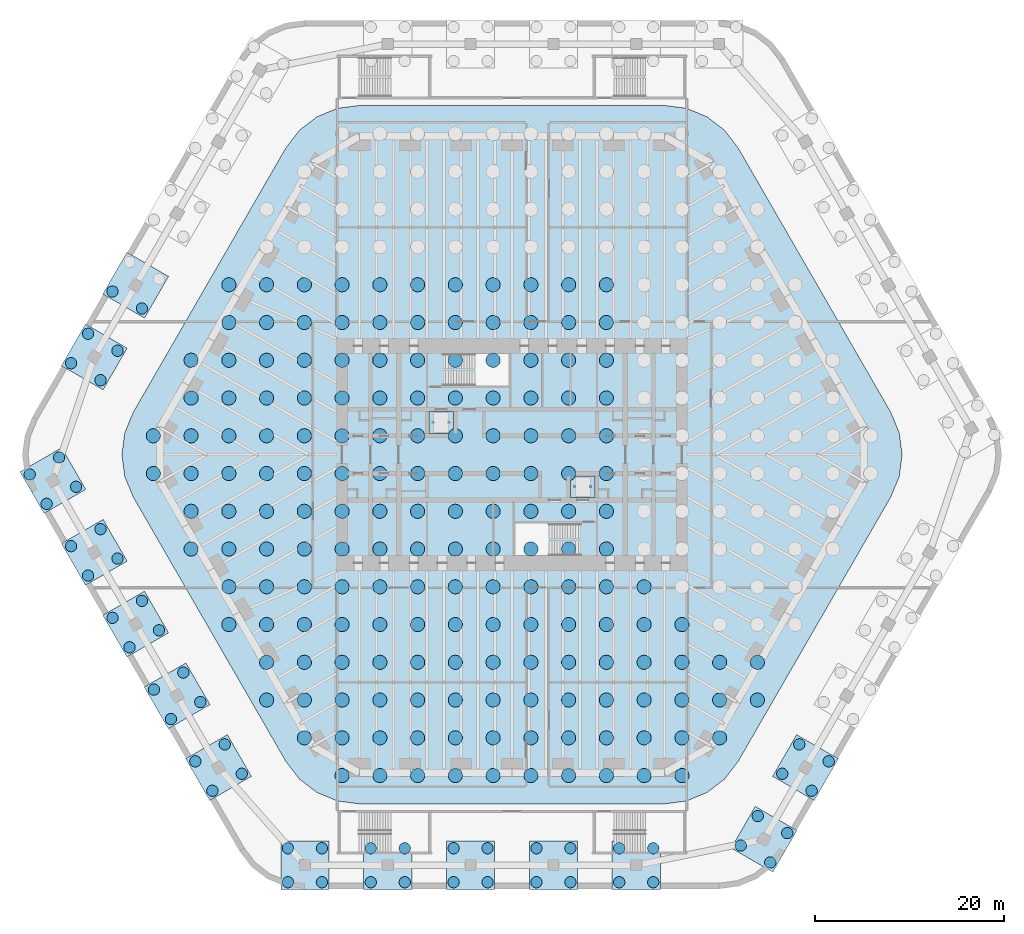
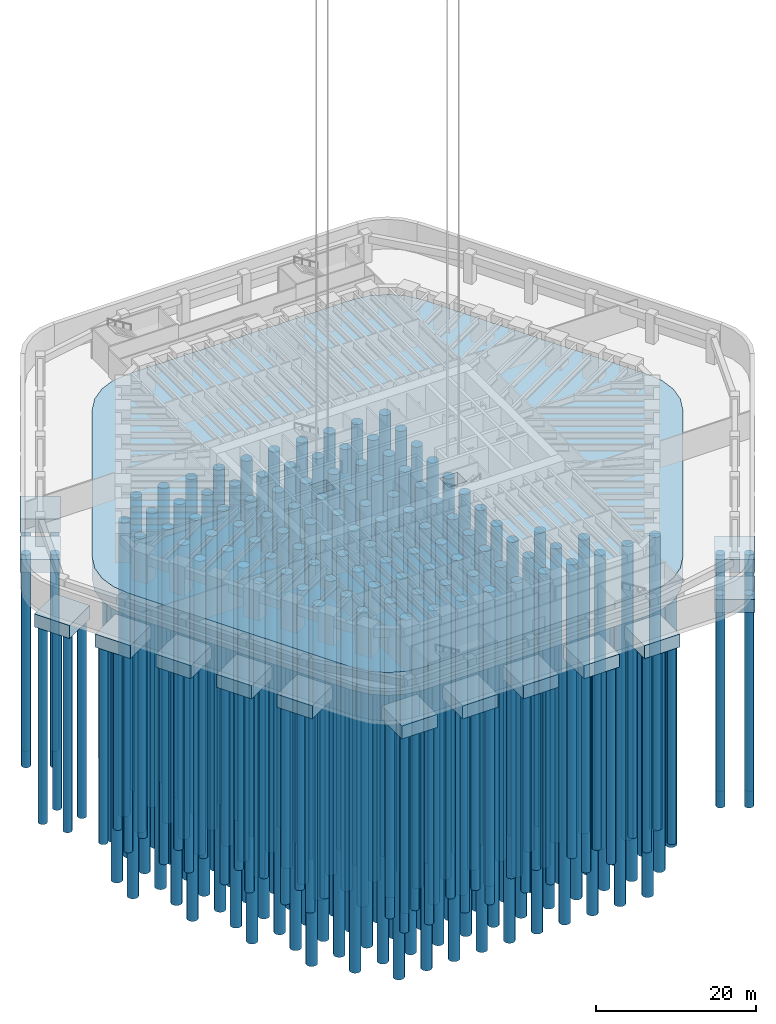
# One storey, part 1 of 17: 225 piles, 15 footings, 2 openings.
"""IFC4 building model written with IfcOpenShell, lengths in metres."""

from ifc_helpers import new_model, si_unit, direction, frame, origin, origin_2d, place, context, subcontext, project, spatial, polyline, circle, outline, extrude, material, layer, layer_set, material_profile, profile_set, type_object, element, save


model = new_model("IFC4")

# Units and contexts
model_context = context("Model", 3, precision=1e-05, world=origin(), true_north=direction((0.0, 1.0)))
body_context = subcontext(model_context, "Body", "Model", "MODEL_VIEW")
ifc_project = project(units=[si_unit("LENGTHUNIT", "METRE"), si_unit("AREAUNIT", "SQUARE_METRE"), si_unit("VOLUMEUNIT", "CUBIC_METRE"), si_unit("PLANEANGLEUNIT", "RADIAN"), si_unit("MASSUNIT", "GRAM", prefix="KILO")], contexts=[model_context])

# Site, building, storey
site_placement = place(None, origin())
site = spatial("IfcSite", under=ifc_project, at=site_placement, CompositionType="ELEMENT")
building_placement = place(site_placement, origin())
building = spatial("IfcBuilding", under=site, at=building_placement, Name="Tarfa Lantern Tower", CompositionType="ELEMENT")
storey_placement = place(building_placement, frame((0.0, 0.0, -9.0)))
storey = spatial("IfcBuildingStorey", under=building, at=storey_placement, Name="B2", CompositionType="ELEMENT", Elevation=-9.0)

# Piles
ifc_material = material(Name="Concrete C40/50", Category="concrete")
ifc_material_profile_1 = material_profile(ifc_material, circle(Radius=0.60009765625, at=origin_2d()), Name="BORED PILE D1200")
ifc_profile_set_1 = profile_set([ifc_material_profile_1], Name="Concrete C40/50")
pile_type_1 = type_object("IfcPileType", Name="BP1200 BORED PILE", PredefinedType="BORED", material=ifc_profile_set_1)
for number, where, z_axis, x_axis, name in (
    (1, (-42.324951171875, 17.291259765625, -2.60009765625), (0.0, 0.0, -1.0), (1.0, 0.0, 0.0), "Cap pile NW3"),
    (2, (-39.207275390625, 15.4912109375, -2.60009765625), (0.0, 0.0, -1.0), (1.0, 0.0, 0.0), "Cap pile NW3"),
    (3, (-44.912841796875, 12.808837890625, -2.60009765625), (0.0, 0.0, -1.0), (1.0, 0.0, 0.0), "Cap pile NW4"),
    (4, (-46.712646484375, 9.691162109375, -2.60009765625), (0.0, 0.0, -1.0), (1.0, 0.0, 0.0), "Cap pile NW4"),
    (5, (-43.594970703125, 7.89111328125, -2.60009765625), (0.0, 0.0, -1.0), (1.0, 0.0, 0.0), "Cap pile NW4"),
    (6, (-41.795166015625, 11.0087890625, -2.60009765625), (0.0, 0.0, -1.0), (1.0, 0.0, 0.0), "Cap pile NW4"),
    (7, (-51.1005859375, -2.091064453125, -2.60009765625), (0.0, 0.0, -1.0), (1.0, 0.0, 0.0), "Cap pile SW0"),
    (8, (-49.300537109375, -5.208740234375, -2.60009765625), (0.0, 0.0, -1.0), (1.0, 0.0, 0.0), "Cap pile SW0"),
    (9, (-46.182861328125, -3.408935546875, -2.60009765625), (0.0, 0.0, -1.0), (1.0, 0.0, 0.0), "Cap pile SW0"),
    (10, (-47.98291015625, -0.291259765625, -2.60009765625), (0.0, 0.0, -1.0), (1.0, 0.0, 0.0), "Cap pile SW0"),
    (11, (-46.712646484375, -9.691162109375, -2.60009765625), (0.0, 0.0, -1.0), (1.0, 0.0, 0.0), "Cap pile SW1"),
    (12, (-44.912841796875, -12.808837890625, -2.60009765625), (0.0, 0.0, -1.0), (1.0, 0.0, 0.0), "Cap pile SW1"),
    (13, (-41.795166015625, -11.0087890625, -2.60009765625), (0.0, 0.0, -1.0), (1.0, 0.0, 0.0), "Cap pile SW1"),
    (14, (-43.594970703125, -7.89111328125, -2.60009765625), (0.0, 0.0, -1.0), (1.0, 0.0, 0.0), "Cap pile SW1"),
    (15, (-42.324951171875, -17.291259765625, -2.60009765625), (0.0, 0.0, -1.0), (1.0, 0.0, 0.0), "Cap pile SW2"),
    (16, (-40.52490234375, -20.408935546875, -2.60009765625), (0.0, 0.0, -1.0), (1.0, 0.0, 0.0), "Cap pile SW2"),
    (17, (-37.4072265625, -18.60888671875, -2.60009765625), (0.0, 0.0, -1.0), (1.0, 0.0, 0.0), "Cap pile SW2"),
    (18, (-39.207275390625, -15.4912109375, -2.60009765625), (0.0, 0.0, -1.0), (1.0, 0.0, 0.0), "Cap pile SW2"),
    (19, (-37.93701171875, -24.89111328125, -2.60009765625), (0.0, 0.0, -1.0), (1.0, 0.0, 0.0), "Cap pile SW3"),
    (20, (-36.136962890625, -28.0087890625, -2.60009765625), (0.0, 0.0, -1.0), (1.0, 0.0, 0.0), "Cap pile SW3"),
    (21, (-33.019287109375, -26.208740234375, -2.60009765625), (0.0, 0.0, -1.0), (1.0, 0.0, 0.0), "Cap pile SW3"),
    (22, (-34.8193359375, -23.091064453125, -2.60009765625), (0.0, 0.0, -1.0), (1.0, 0.0, 0.0), "Cap pile SW3"),
    (23, (-33.549072265625, -32.4912109375, -2.60009765625), (0.0, 0.0, -1.0), (1.0, 0.0, 0.0), "Cap pile SW4"),
    (24, (-31.749267578125, -35.60888671875, -2.60009765625), (0.0, 0.0, -1.0), (1.0, 0.0, 0.0), "Cap pile SW4"),
    (25, (-28.63134765625, -33.808837890625, -2.60009765625), (0.0, 0.0, -1.0), (1.0, 0.0, 0.0), "Cap pile SW4"),
    (26, (-30.431396484375, -30.691162109375, -2.60009765625), (0.0, 0.0, -1.0), (1.0, 0.0, 0.0), "Cap pile SW4"),
    (27, (-23.7392578125, -45.300048828125, -2.60009765625), (0.0, 0.0, -1.0), (1.0, 0.0, 0.0), "Cap pile S0"),
    (28, (-20.139404296875, -45.300048828125, -2.60009765625), (0.0, 0.0, -1.0), (1.0, 0.0, 0.0), "Cap pile S0"),
    (29, (-20.139404296875, -41.699951171875, -2.60009765625), (0.0, 0.0, -1.0), (1.0, 0.0, 0.0), "Cap pile S0"),
    (30, (-23.7392578125, -41.699951171875, -2.60009765625), (0.0, 0.0, -1.0), (1.0, 0.0, 0.0), "Cap pile S0"),
    (31, (-14.963623046875, -45.300048828125, -2.60009765625), (0.0, 0.0, -1.0), (1.0, 0.0, 0.0), "Cap pile S1"),
    (32, (-11.363525390625, -45.300048828125, -2.60009765625), (0.0, 0.0, -1.0), (1.0, 0.0, 0.0), "Cap pile S1"),
    (33, (-11.363525390625, -41.699951171875, -2.60009765625), (0.0, 0.0, -1.0), (1.0, 0.0, 0.0), "Cap pile S1"),
    (34, (-14.963623046875, -41.699951171875, -2.60009765625), (0.0, 0.0, -1.0), (1.0, 0.0, 0.0), "Cap pile S1"),
    (35, (-6.187744140625, -45.300048828125, -2.60009765625), (0.0, 0.0, -1.0), (1.0, 0.0, 0.0), "Cap pile S2"),
    (36, (-2.587890625, -45.300048828125, -2.60009765625), (0.0, 0.0, -1.0), (1.0, 0.0, 0.0), "Cap pile S2"),
    (37, (-2.587890625, -41.699951171875, -2.60009765625), (0.0, 0.0, -1.0), (1.0, 0.0, 0.0), "Cap pile S2"),
    (38, (-6.187744140625, -41.699951171875, -2.60009765625), (0.0, 0.0, -1.0), (1.0, 0.0, 0.0), "Cap pile S2"),
    (39, (2.587890625, -45.300048828125, -2.60009765625), (0.0, 0.0, -1.0), (1.0, 0.0, 0.0), "Cap pile S3"),
    (40, (6.187744140625, -45.300048828125, -2.60009765625), (0.0, 0.0, -1.0), (1.0, 0.0, 0.0), "Cap pile S3"),
    (41, (6.187744140625, -41.699951171875, -2.60009765625), (0.0, 0.0, -1.0), (1.0, 0.0, 0.0), "Cap pile S3"),
    (42, (2.587890625, -41.699951171875, -2.60009765625), (0.0, 0.0, -1.0), (1.0, 0.0, 0.0), "Cap pile S3"),
    (43, (11.363525390625, -45.300048828125, -2.60009765625), (0.0, 0.0, -1.0), (1.0, 0.0, 0.0), "Cap pile S4"),
    (44, (14.963623046875, -45.300048828125, -2.60009765625), (0.0, 0.0, -1.0), (1.0, 0.0, 0.0), "Cap pile S4"),
    (45, (14.963623046875, -41.699951171875, -2.60009765625), (0.0, 0.0, -1.0), (1.0, 0.0, 0.0), "Cap pile S4"),
    (46, (11.363525390625, -41.699951171875, -2.60009765625), (0.0, 0.0, -1.0), (1.0, 0.0, 0.0), "Cap pile S4"),
    (47, (27.361328125, -43.208740234375, -2.60009765625), (0.0, 0.0, -1.0), (1.0, 0.0, 0.0), "Cap pile SE0"),
    (48, (29.161376953125, -40.091064453125, -2.60009765625), (0.0, 0.0, -1.0), (1.0, 0.0, 0.0), "Cap pile SE0"),
    (49, (26.043701171875, -38.291259765625, -2.60009765625), (0.0, 0.0, -1.0), (1.0, 0.0, 0.0), "Cap pile SE0"),
    (50, (24.24365234375, -41.408935546875, -2.60009765625), (0.0, 0.0, -1.0), (1.0, 0.0, 0.0), "Cap pile SE0"),
    (51, (31.749267578125, -35.60888671875, -2.60009765625), (0.0, 0.0, -1.0), (1.0, 0.0, 0.0), "Cap pile SE1"),
    (52, (33.549072265625, -32.4912109375, -2.60009765625), (0.0, 0.0, -1.0), (1.0, 0.0, 0.0), "Cap pile SE1"),
    (53, (30.431396484375, -30.691162109375, -2.60009765625), (0.0, 0.0, -1.0), (1.0, 0.0, 0.0), "Cap pile SE1"),
    (54, (28.63134765625, -33.808837890625, -2.60009765625), (0.0, 0.0, -1.0), (1.0, 0.0, 0.0), "Cap pile SE1"),
):
    element("IfcPile", number, at=place(storey_placement, frame(where, z_axis=z_axis, x_axis=x_axis)), inside=storey, type_object=pile_type_1, Name=name, PredefinedType="BORED", context=body_context, shape_type="SweptSolid", body=[
        extrude(circle(Radius=0.60009765625, at=origin_2d()), origin(), (0.0, 0.0, 1.0), 30.0),
    ])
ifc_material_profile_2 = material_profile(ifc_material, circle(Radius=0.75, at=origin_2d()), Name="BORED PILE D1500")
ifc_profile_set_2 = profile_set([ifc_material_profile_2], Name="Concrete C40/50")
pile_type_2 = type_object("IfcPileType", Name="BP1500 BORED PILE", PredefinedType="BORED", material=ifc_profile_set_2)
for number, where, z_axis, x_axis, name in (
    (55, (-38.0, -2.0, -3.5), (0.0, 0.0, -1.0), (1.0, 0.0, 0.0), "Raft pile"),
    (56, (-38.0, 2.0, -3.5), (0.0, 0.0, -1.0), (1.0, 0.0, 0.0), "Raft pile"),
    (57, (-34.0, -10.0, -3.5), (0.0, 0.0, -1.0), (1.0, 0.0, 0.0), "Raft pile"),
    (58, (-34.0, -6.0, -3.5), (0.0, 0.0, -1.0), (1.0, 0.0, 0.0), "Raft pile"),
    (59, (-34.0, -2.0, -3.5), (0.0, 0.0, -1.0), (1.0, 0.0, 0.0), "Raft pile"),
    (60, (-34.0, 2.0, -3.5), (0.0, 0.0, -1.0), (1.0, 0.0, 0.0), "Raft pile"),
    (61, (-34.0, 6.0, -3.5), (0.0, 0.0, -1.0), (1.0, 0.0, 0.0), "Raft pile"),
    (62, (-34.0, 10.0, -3.5), (0.0, 0.0, -1.0), (1.0, 0.0, 0.0), "Raft pile"),
    (63, (-30.0, -18.0, -3.5), (0.0, 0.0, -1.0), (1.0, 0.0, 0.0), "Raft pile"),
    (64, (-30.0, -14.0, -3.5), (0.0, 0.0, -1.0), (1.0, 0.0, 0.0), "Raft pile"),
    (65, (-30.0, -10.0, -3.5), (0.0, 0.0, -1.0), (1.0, 0.0, 0.0), "Raft pile"),
    (66, (-30.0, -6.0, -3.5), (0.0, 0.0, -1.0), (1.0, 0.0, 0.0), "Raft pile"),
    (67, (-30.0, -2.0, -3.5), (0.0, 0.0, -1.0), (1.0, 0.0, 0.0), "Raft pile"),
    (68, (-30.0, 2.0, -3.5), (0.0, 0.0, -1.0), (1.0, 0.0, 0.0), "Raft pile"),
    (69, (-30.0, 6.0, -3.5), (0.0, 0.0, -1.0), (1.0, 0.0, 0.0), "Raft pile"),
    (70, (-30.0, 10.0, -3.5), (0.0, 0.0, -1.0), (1.0, 0.0, 0.0), "Raft pile"),
    (71, (-30.0, 14.0, -3.5), (0.0, 0.0, -1.0), (1.0, 0.0, 0.0), "Raft pile"),
    (72, (-30.0, 18.0, -3.5), (0.0, 0.0, -1.0), (1.0, 0.0, 0.0), "Raft pile"),
    (73, (-26.0, -26.0, -3.5), (0.0, 0.0, -1.0), (1.0, 0.0, 0.0), "Raft pile"),
    (74, (-26.0, -22.0, -3.5), (0.0, 0.0, -1.0), (1.0, 0.0, 0.0), "Raft pile"),
    (75, (-26.0, -18.0, -3.5), (0.0, 0.0, -1.0), (1.0, 0.0, 0.0), "Raft pile"),
    (76, (-26.0, -14.0, -3.5), (0.0, 0.0, -1.0), (1.0, 0.0, 0.0), "Raft pile"),
    (77, (-26.0, -10.0, -3.5), (0.0, 0.0, -1.0), (1.0, 0.0, 0.0), "Raft pile"),
    (78, (-26.0, -6.0, -3.5), (0.0, 0.0, -1.0), (1.0, 0.0, 0.0), "Raft pile"),
    (79, (-26.0, -2.0, -3.5), (0.0, 0.0, -1.0), (1.0, 0.0, 0.0), "Raft pile"),
    (80, (-26.0, 2.0, -3.5), (0.0, 0.0, -1.0), (1.0, 0.0, 0.0), "Raft pile"),
    (81, (-26.0, 6.0, -3.5), (0.0, 0.0, -1.0), (1.0, 0.0, 0.0), "Raft pile"),
    (82, (-26.0, 10.0, -3.5), (0.0, 0.0, -1.0), (1.0, 0.0, 0.0), "Raft pile"),
    (83, (-26.0, 14.0, -3.5), (0.0, 0.0, -1.0), (1.0, 0.0, 0.0), "Raft pile"),
    (84, (-26.0, 18.0, -3.5), (0.0, 0.0, -1.0), (1.0, 0.0, 0.0), "Raft pile"),
    (85, (-22.0, -30.0, -3.5), (0.0, 0.0, -1.0), (1.0, 0.0, 0.0), "Raft pile"),
    (86, (-22.0, -26.0, -3.5), (0.0, 0.0, -1.0), (1.0, 0.0, 0.0), "Raft pile"),
    (87, (-22.0, -22.0, -3.5), (0.0, 0.0, -1.0), (1.0, 0.0, 0.0), "Raft pile"),
    (88, (-22.0, -18.0, -3.5), (0.0, 0.0, -1.0), (1.0, 0.0, 0.0), "Raft pile"),
    (89, (-22.0, -14.0, -3.5), (0.0, 0.0, -1.0), (1.0, 0.0, 0.0), "Raft pile"),
    (90, (-22.0, -10.0, -3.5), (0.0, 0.0, -1.0), (1.0, 0.0, 0.0), "Raft pile"),
    (91, (-22.0, -6.0, -3.5), (0.0, 0.0, -1.0), (1.0, 0.0, 0.0), "Raft pile"),
    (92, (-22.0, -2.0, -3.5), (0.0, 0.0, -1.0), (1.0, 0.0, 0.0), "Raft pile"),
    (93, (-22.0, 2.0, -3.5), (0.0, 0.0, -1.0), (1.0, 0.0, 0.0), "Raft pile"),
    (94, (-22.0, 6.0, -3.5), (0.0, 0.0, -1.0), (1.0, 0.0, 0.0), "Raft pile"),
    (95, (-22.0, 10.0, -3.5), (0.0, 0.0, -1.0), (1.0, 0.0, 0.0), "Raft pile"),
    (96, (-22.0, 14.0, -3.5), (0.0, 0.0, -1.0), (1.0, 0.0, 0.0), "Raft pile"),
    (97, (-22.0, 18.0, -3.5), (0.0, 0.0, -1.0), (1.0, 0.0, 0.0), "Raft pile"),
    (98, (-18.0, -34.0, -3.5), (0.0, 0.0, -1.0), (1.0, 0.0, 0.0), "Raft pile"),
    (99, (-18.0, -30.0, -3.5), (0.0, 0.0, -1.0), (1.0, 0.0, 0.0), "Raft pile"),
    (100, (-18.0, -26.0, -3.5), (0.0, 0.0, -1.0), (1.0, 0.0, 0.0), "Raft pile"),
    (101, (-18.0, -22.0, -3.5), (0.0, 0.0, -1.0), (1.0, 0.0, 0.0), "Raft pile"),
    (102, (-18.0, -18.0, -3.5), (0.0, 0.0, -1.0), (1.0, 0.0, 0.0), "Raft pile"),
    (103, (-18.0, -14.0, -3.5), (0.0, 0.0, -1.0), (1.0, 0.0, 0.0), "Raft pile"),
    (104, (-18.0, -10.0, -3.5), (0.0, 0.0, -1.0), (1.0, 0.0, 0.0), "Raft pile"),
    (105, (-18.0, -6.0, -3.5), (0.0, 0.0, -1.0), (1.0, 0.0, 0.0), "Raft pile"),
    (106, (-18.0, -2.0, -3.5), (0.0, 0.0, -1.0), (1.0, 0.0, 0.0), "Raft pile"),
    (107, (-18.0, 2.0, -3.5), (0.0, 0.0, -1.0), (1.0, 0.0, 0.0), "Raft pile"),
    (108, (-18.0, 6.0, -3.5), (0.0, 0.0, -1.0), (1.0, 0.0, 0.0), "Raft pile"),
    (109, (-18.0, 10.0, -3.5), (0.0, 0.0, -1.0), (1.0, 0.0, 0.0), "Raft pile"),
    (110, (-18.0, 14.0, -3.5), (0.0, 0.0, -1.0), (1.0, 0.0, 0.0), "Raft pile"),
    (111, (-18.0, 18.0, -3.5), (0.0, 0.0, -1.0), (1.0, 0.0, 0.0), "Raft pile"),
    (112, (-14.0, -34.0, -3.5), (0.0, 0.0, -1.0), (1.0, 0.0, 0.0), "Raft pile"),
    (113, (-14.0, -30.0, -3.5), (0.0, 0.0, -1.0), (1.0, 0.0, 0.0), "Raft pile"),
    (114, (-14.0, -26.0, -3.5), (0.0, 0.0, -1.0), (1.0, 0.0, 0.0), "Raft pile"),
    (115, (-14.0, -22.0, -3.5), (0.0, 0.0, -1.0), (1.0, 0.0, 0.0), "Raft pile"),
    (116, (-14.0, -18.0, -3.5), (0.0, 0.0, -1.0), (1.0, 0.0, 0.0), "Raft pile"),
    (117, (-14.0, -14.0, -3.5), (0.0, 0.0, -1.0), (1.0, 0.0, 0.0), "Raft pile"),
    (118, (-14.0, -10.0, -3.5), (0.0, 0.0, -1.0), (1.0, 0.0, 0.0), "Raft pile"),
    (119, (-14.0, -6.0, -3.5), (0.0, 0.0, -1.0), (1.0, 0.0, 0.0), "Raft pile"),
    (120, (-14.0, -2.0, -3.5), (0.0, 0.0, -1.0), (1.0, 0.0, 0.0), "Raft pile"),
    (121, (-14.0, 2.0, -3.5), (0.0, 0.0, -1.0), (1.0, 0.0, 0.0), "Raft pile"),
    (122, (-14.0, 6.0, -3.5), (0.0, 0.0, -1.0), (1.0, 0.0, 0.0), "Raft pile"),
    (123, (-14.0, 10.0, -3.5), (0.0, 0.0, -1.0), (1.0, 0.0, 0.0), "Raft pile"),
    (124, (-14.0, 14.0, -3.5), (0.0, 0.0, -1.0), (1.0, 0.0, 0.0), "Raft pile"),
    (125, (-14.0, 18.0, -3.5), (0.0, 0.0, -1.0), (1.0, 0.0, 0.0), "Raft pile"),
    (126, (-10.0, -34.0, -3.5), (0.0, 0.0, -1.0), (1.0, 0.0, 0.0), "Raft pile"),
    (127, (-10.0, -30.0, -3.5), (0.0, 0.0, -1.0), (1.0, 0.0, 0.0), "Raft pile"),
    (128, (-10.0, -26.0, -3.5), (0.0, 0.0, -1.0), (1.0, 0.0, 0.0), "Raft pile"),
    (129, (-10.0, -22.0, -3.5), (0.0, 0.0, -1.0), (1.0, 0.0, 0.0), "Raft pile"),
    (130, (-10.0, -18.0, -3.5), (0.0, 0.0, -1.0), (1.0, 0.0, 0.0), "Raft pile"),
    (131, (-10.0, -14.0, -3.5), (0.0, 0.0, -1.0), (1.0, 0.0, 0.0), "Raft pile"),
    (132, (-10.0, -10.0, -3.5), (0.0, 0.0, -1.0), (1.0, 0.0, 0.0), "Raft pile"),
    (133, (-10.0, -6.0, -3.5), (0.0, 0.0, -1.0), (1.0, 0.0, 0.0), "Raft pile"),
    (134, (-10.0, -2.0, -3.5), (0.0, 0.0, -1.0), (1.0, 0.0, 0.0), "Raft pile"),
    (135, (-10.0, 2.0, -3.5), (0.0, 0.0, -1.0), (1.0, 0.0, 0.0), "Raft pile"),
    (136, (-10.0, 6.0, -3.5), (0.0, 0.0, -1.0), (1.0, 0.0, 0.0), "Raft pile"),
    (137, (-10.0, 10.0, -3.5), (0.0, 0.0, -1.0), (1.0, 0.0, 0.0), "Raft pile"),
    (138, (-10.0, 14.0, -3.5), (0.0, 0.0, -1.0), (1.0, 0.0, 0.0), "Raft pile"),
    (139, (-10.0, 18.0, -3.5), (0.0, 0.0, -1.0), (1.0, 0.0, 0.0), "Raft pile"),
    (140, (-6.0, -34.0, -3.5), (0.0, 0.0, -1.0), (1.0, 0.0, 0.0), "Raft pile"),
    (141, (-6.0, -30.0, -3.5), (0.0, 0.0, -1.0), (1.0, 0.0, 0.0), "Raft pile"),
    (142, (-6.0, -26.0, -3.5), (0.0, 0.0, -1.0), (1.0, 0.0, 0.0), "Raft pile"),
    (143, (-6.0, -22.0, -3.5), (0.0, 0.0, -1.0), (1.0, 0.0, 0.0), "Raft pile"),
    (144, (-6.0, -18.0, -3.5), (0.0, 0.0, -1.0), (1.0, 0.0, 0.0), "Raft pile"),
    (145, (-6.0, -14.0, -3.5), (0.0, 0.0, -1.0), (1.0, 0.0, 0.0), "Raft pile"),
    (146, (-6.0, -10.0, -3.5), (0.0, 0.0, -1.0), (1.0, 0.0, 0.0), "Raft pile"),
    (147, (-6.0, -6.0, -3.5), (0.0, 0.0, -1.0), (1.0, 0.0, 0.0), "Raft pile"),
    (148, (-6.0, -2.0, -3.5), (0.0, 0.0, -1.0), (1.0, 0.0, 0.0), "Raft pile"),
    (149, (-6.0, 2.0, -3.5), (0.0, 0.0, -1.0), (1.0, 0.0, 0.0), "Raft pile"),
    (150, (-6.0, 6.0, -3.5), (0.0, 0.0, -1.0), (1.0, 0.0, 0.0), "Raft pile"),
    (151, (-6.0, 10.0, -3.5), (0.0, 0.0, -1.0), (1.0, 0.0, 0.0), "Raft pile"),
    (152, (-6.0, 14.0, -3.5), (0.0, 0.0, -1.0), (1.0, 0.0, 0.0), "Raft pile"),
    (153, (-6.0, 18.0, -3.5), (0.0, 0.0, -1.0), (1.0, 0.0, 0.0), "Raft pile"),
    (154, (-2.0, -34.0, -3.5), (0.0, 0.0, -1.0), (1.0, 0.0, 0.0), "Raft pile"),
    (155, (-2.0, -30.0, -3.5), (0.0, 0.0, -1.0), (1.0, 0.0, 0.0), "Raft pile"),
    (156, (-2.0, -26.0, -3.5), (0.0, 0.0, -1.0), (1.0, 0.0, 0.0), "Raft pile"),
    (157, (-2.0, -22.0, -3.5), (0.0, 0.0, -1.0), (1.0, 0.0, 0.0), "Raft pile"),
    (158, (-2.0, -18.0, -3.5), (0.0, 0.0, -1.0), (1.0, 0.0, 0.0), "Raft pile"),
    (159, (-2.0, -14.0, -3.5), (0.0, 0.0, -1.0), (1.0, 0.0, 0.0), "Raft pile"),
    (160, (-2.0, -10.0, -3.5), (0.0, 0.0, -1.0), (1.0, 0.0, 0.0), "Raft pile"),
    (161, (-2.0, -6.0, -3.5), (0.0, 0.0, -1.0), (1.0, 0.0, 0.0), "Raft pile"),
    (162, (-2.0, -2.0, -3.5), (0.0, 0.0, -1.0), (1.0, 0.0, 0.0), "Raft pile"),
    (163, (-2.0, 2.0, -3.5), (0.0, 0.0, -1.0), (1.0, 0.0, 0.0), "Raft pile"),
    (164, (-2.0, 6.0, -3.5), (0.0, 0.0, -1.0), (1.0, 0.0, 0.0), "Raft pile"),
    (165, (-2.0, 10.0, -3.5), (0.0, 0.0, -1.0), (1.0, 0.0, 0.0), "Raft pile"),
    (166, (-2.0, 14.0, -3.5), (0.0, 0.0, -1.0), (1.0, 0.0, 0.0), "Raft pile"),
    (167, (-2.0, 18.0, -3.5), (0.0, 0.0, -1.0), (1.0, 0.0, 0.0), "Raft pile"),
    (168, (2.0, -34.0, -3.5), (0.0, 0.0, -1.0), (1.0, 0.0, 0.0), "Raft pile"),
    (169, (2.0, -30.0, -3.5), (0.0, 0.0, -1.0), (1.0, 0.0, 0.0), "Raft pile"),
    (170, (2.0, -26.0, -3.5), (0.0, 0.0, -1.0), (1.0, 0.0, 0.0), "Raft pile"),
    (171, (2.0, -22.0, -3.5), (0.0, 0.0, -1.0), (1.0, 0.0, 0.0), "Raft pile"),
    (172, (2.0, -18.0, -3.5), (0.0, 0.0, -1.0), (1.0, 0.0, 0.0), "Raft pile"),
    (173, (2.0, -14.0, -3.5), (0.0, 0.0, -1.0), (1.0, 0.0, 0.0), "Raft pile"),
    (174, (2.0, -10.0, -3.5), (0.0, 0.0, -1.0), (1.0, 0.0, 0.0), "Raft pile"),
    (175, (2.0, -6.0, -3.5), (0.0, 0.0, -1.0), (1.0, 0.0, 0.0), "Raft pile"),
    (176, (2.0, -2.0, -3.5), (0.0, 0.0, -1.0), (1.0, 0.0, 0.0), "Raft pile"),
    (177, (2.0, 2.0, -3.5), (0.0, 0.0, -1.0), (1.0, 0.0, 0.0), "Raft pile"),
    (178, (2.0, 6.0, -3.5), (0.0, 0.0, -1.0), (1.0, 0.0, 0.0), "Raft pile"),
    (179, (2.0, 10.0, -3.5), (0.0, 0.0, -1.0), (1.0, 0.0, 0.0), "Raft pile"),
    (180, (2.0, 14.0, -3.5), (0.0, 0.0, -1.0), (1.0, 0.0, 0.0), "Raft pile"),
    (181, (2.0, 18.0, -3.5), (0.0, 0.0, -1.0), (1.0, 0.0, 0.0), "Raft pile"),
    (182, (6.0, -34.0, -3.5), (0.0, 0.0, -1.0), (1.0, 0.0, 0.0), "Raft pile"),
    (183, (6.0, -30.0, -3.5), (0.0, 0.0, -1.0), (1.0, 0.0, 0.0), "Raft pile"),
    (184, (6.0, -26.0, -3.5), (0.0, 0.0, -1.0), (1.0, 0.0, 0.0), "Raft pile"),
    (185, (6.0, -22.0, -3.5), (0.0, 0.0, -1.0), (1.0, 0.0, 0.0), "Raft pile"),
    (186, (6.0, -18.0, -3.5), (0.0, 0.0, -1.0), (1.0, 0.0, 0.0), "Raft pile"),
    (187, (6.0, -14.0, -3.5), (0.0, 0.0, -1.0), (1.0, 0.0, 0.0), "Raft pile"),
    (188, (6.0, -10.0, -3.5), (0.0, 0.0, -1.0), (1.0, 0.0, 0.0), "Raft pile"),
    (189, (6.0, -6.0, -3.5), (0.0, 0.0, -1.0), (1.0, 0.0, 0.0), "Raft pile"),
    (190, (6.0, -2.0, -3.5), (0.0, 0.0, -1.0), (1.0, 0.0, 0.0), "Raft pile"),
    (191, (6.0, 2.0, -3.5), (0.0, 0.0, -1.0), (1.0, 0.0, 0.0), "Raft pile"),
    (192, (6.0, 6.0, -3.5), (0.0, 0.0, -1.0), (1.0, 0.0, 0.0), "Raft pile"),
    (193, (6.0, 10.0, -3.5), (0.0, 0.0, -1.0), (1.0, 0.0, 0.0), "Raft pile"),
    (194, (6.0, 14.0, -3.5), (0.0, 0.0, -1.0), (1.0, 0.0, 0.0), "Raft pile"),
    (195, (6.0, 18.0, -3.5), (0.0, 0.0, -1.0), (1.0, 0.0, 0.0), "Raft pile"),
    (196, (10.0, -34.0, -3.5), (0.0, 0.0, -1.0), (1.0, 0.0, 0.0), "Raft pile"),
    (197, (10.0, -30.0, -3.5), (0.0, 0.0, -1.0), (1.0, 0.0, 0.0), "Raft pile"),
    (198, (10.0, -26.0, -3.5), (0.0, 0.0, -1.0), (1.0, 0.0, 0.0), "Raft pile"),
    (199, (10.0, -22.0, -3.5), (0.0, 0.0, -1.0), (1.0, 0.0, 0.0), "Raft pile"),
    (200, (10.0, -18.0, -3.5), (0.0, 0.0, -1.0), (1.0, 0.0, 0.0), "Raft pile"),
    (201, (10.0, -14.0, -3.5), (0.0, 0.0, -1.0), (1.0, 0.0, 0.0), "Raft pile"),
    (202, (10.0, -10.0, -3.5), (0.0, 0.0, -1.0), (1.0, 0.0, 0.0), "Raft pile"),
    (203, (10.0, -6.0, -3.5), (0.0, 0.0, -1.0), (1.0, 0.0, 0.0), "Raft pile"),
    (204, (10.0, -2.0, -3.5), (0.0, 0.0, -1.0), (1.0, 0.0, 0.0), "Raft pile"),
    (205, (10.0, 2.0, -3.5), (0.0, 0.0, -1.0), (1.0, 0.0, 0.0), "Raft pile"),
    (206, (10.0, 6.0, -3.5), (0.0, 0.0, -1.0), (1.0, 0.0, 0.0), "Raft pile"),
    (207, (10.0, 10.0, -3.5), (0.0, 0.0, -1.0), (1.0, 0.0, 0.0), "Raft pile"),
    (208, (10.0, 14.0, -3.5), (0.0, 0.0, -1.0), (1.0, 0.0, 0.0), "Raft pile"),
    (209, (10.0, 18.0, -3.5), (0.0, 0.0, -1.0), (1.0, 0.0, 0.0), "Raft pile"),
    (210, (14.0, -34.0, -3.5), (0.0, 0.0, -1.0), (1.0, 0.0, 0.0), "Raft pile"),
    (211, (14.0, -30.0, -3.5), (0.0, 0.0, -1.0), (1.0, 0.0, 0.0), "Raft pile"),
    (212, (14.0, -26.0, -3.5), (0.0, 0.0, -1.0), (1.0, 0.0, 0.0), "Raft pile"),
    (213, (14.0, -22.0, -3.5), (0.0, 0.0, -1.0), (1.0, 0.0, 0.0), "Raft pile"),
    (214, (14.0, -18.0, -3.5), (0.0, 0.0, -1.0), (1.0, 0.0, 0.0), "Raft pile"),
    (215, (14.0, -14.0, -3.5), (0.0, 0.0, -1.0), (1.0, 0.0, 0.0), "Raft pile"),
    (216, (18.0, -34.0, -3.5), (0.0, 0.0, -1.0), (1.0, 0.0, 0.0), "Raft pile"),
    (217, (18.0, -30.0, -3.5), (0.0, 0.0, -1.0), (1.0, 0.0, 0.0), "Raft pile"),
    (218, (18.0, -26.0, -3.5), (0.0, 0.0, -1.0), (1.0, 0.0, 0.0), "Raft pile"),
    (219, (18.0, -22.0, -3.5), (0.0, 0.0, -1.0), (1.0, 0.0, 0.0), "Raft pile"),
    (220, (18.0, -18.0, -3.5), (0.0, 0.0, -1.0), (1.0, 0.0, 0.0), "Raft pile"),
    (221, (22.0, -30.0, -3.5), (0.0, 0.0, -1.0), (1.0, 0.0, 0.0), "Raft pile"),
    (222, (22.0, -26.0, -3.5), (0.0, 0.0, -1.0), (1.0, 0.0, 0.0), "Raft pile"),
    (223, (22.0, -22.0, -3.5), (0.0, 0.0, -1.0), (1.0, 0.0, 0.0), "Raft pile"),
    (224, (26.0, -26.0, -3.5), (0.0, 0.0, -1.0), (1.0, 0.0, 0.0), "Raft pile"),
    (225, (26.0, -22.0, -3.5), (0.0, 0.0, -1.0), (1.0, 0.0, 0.0), "Raft pile"),
):
    element("IfcPile", number, at=place(storey_placement, frame(where, z_axis=z_axis, x_axis=x_axis)), inside=storey, type_object=pile_type_2, Name=name, PredefinedType="BORED", context=body_context, shape_type="SweptSolid", body=[
        extrude(circle(Radius=0.75, at=origin_2d()), origin(), (0.0, 0.0, 1.0), 45.0),
    ])

# Footings
ifc_layer_1 = layer(ifc_material, 2.0)
ifc_layer_set_1 = layer_set([ifc_layer_1], Name="PC4 PILE CAP 5100")
footing_type_1 = type_object("IfcFootingType", Name="PC4 PILE CAP 5100", PredefinedType="PILE_CAP", material=ifc_layer_set_1)
footing_1_placement = place(storey_placement, frame((0.0, 0.0, -2.60009765625)))
element("IfcFooting", 226, at=footing_1_placement, inside=storey, type_object=footing_type_1, Name="Pile cap NW3", PredefinedType="PILE_CAP", context=body_context, shape_type="SweptSolid", body=[
    extrude(outline(polyline([(-40.79931640625, 21.433349609375), (-43.349365234375, 17.0166015625), (-38.9326171875, 14.466552734375), (-36.382568359375, 18.88330078125), (-40.79931640625, 21.433349609375)])), origin(), (0.0, 0.0, 1.0), 2.0),
])
footing_2_placement = place(storey_placement, frame((0.0, 0.0, -2.60009765625)))
element("IfcFooting", 227, at=footing_2_placement, inside=storey, type_object=footing_type_1, Name="Pile cap NW4", PredefinedType="PILE_CAP", context=body_context, shape_type="SweptSolid", body=[
    extrude(outline(polyline([(-45.187255859375, 13.833251953125), (-47.7373046875, 9.416748046875), (-43.320556640625, 6.86669921875), (-40.7705078125, 11.283447265625), (-45.187255859375, 13.833251953125)])), origin(), (0.0, 0.0, 1.0), 2.0),
])
footing_3_placement = place(storey_placement, frame((0.0, 0.0, -2.60009765625)))
element("IfcFooting", 228, at=footing_3_placement, inside=storey, type_object=footing_type_1, Name="Pile cap SW0", PredefinedType="PILE_CAP", context=body_context, shape_type="SweptSolid", body=[
    extrude(outline(polyline([(-52.125244140625, -1.816650390625), (-49.5751953125, -6.2333984375), (-45.158447265625, -3.683349609375), (-47.70849609375, 0.7333984375), (-52.125244140625, -1.816650390625)])), origin(), (0.0, 0.0, 1.0), 2.0),
])
footing_4_placement = place(storey_placement, frame((0.0, 0.0, -2.60009765625)))
element("IfcFooting", 229, at=footing_4_placement, inside=storey, type_object=footing_type_1, Name="Pile cap SW1", PredefinedType="PILE_CAP", context=body_context, shape_type="SweptSolid", body=[
    extrude(outline(polyline([(-47.7373046875, -9.416748046875), (-45.187255859375, -13.833251953125), (-40.7705078125, -11.283447265625), (-43.320556640625, -6.86669921875), (-47.7373046875, -9.416748046875)])), origin(), (0.0, 0.0, 1.0), 2.0),
])
footing_5_placement = place(storey_placement, frame((0.0, 0.0, -2.60009765625)))
element("IfcFooting", 230, at=footing_5_placement, inside=storey, type_object=footing_type_1, Name="Pile cap SW2", PredefinedType="PILE_CAP", context=body_context, shape_type="SweptSolid", body=[
    extrude(outline(polyline([(-43.349365234375, -17.0166015625), (-40.79931640625, -21.433349609375), (-36.382568359375, -18.88330078125), (-38.9326171875, -14.466552734375), (-43.349365234375, -17.0166015625)])), origin(), (0.0, 0.0, 1.0), 2.0),
])
footing_6_placement = place(storey_placement, frame((0.0, 0.0, -2.60009765625)))
element("IfcFooting", 231, at=footing_6_placement, inside=storey, type_object=footing_type_1, Name="Pile cap SW3", PredefinedType="PILE_CAP", context=body_context, shape_type="SweptSolid", body=[
    extrude(outline(polyline([(-38.96142578125, -24.61669921875), (-36.41162109375, -29.033447265625), (-31.994873046875, -26.4833984375), (-34.544921875, -22.066650390625), (-38.96142578125, -24.61669921875)])), origin(), (0.0, 0.0, 1.0), 2.0),
])
footing_7_placement = place(storey_placement, frame((0.0, 0.0, -2.60009765625)))
element("IfcFooting", 232, at=footing_7_placement, inside=storey, type_object=footing_type_1, Name="Pile cap SW4", PredefinedType="PILE_CAP", context=body_context, shape_type="SweptSolid", body=[
    extrude(outline(polyline([(-34.57373046875, -32.216552734375), (-32.023681640625, -36.63330078125), (-27.60693359375, -34.083251953125), (-30.156982421875, -29.666748046875), (-34.57373046875, -32.216552734375)])), origin(), (0.0, 0.0, 1.0), 2.0),
])
footing_8_placement = place(storey_placement, frame((0.0, 0.0, -2.60009765625)))
element("IfcFooting", 233, at=footing_8_placement, inside=storey, type_object=footing_type_1, Name="Pile cap S0", PredefinedType="PILE_CAP", context=body_context, shape_type="SweptSolid", body=[
    extrude(outline(polyline([(-24.4892578125, -46.050048828125), (-19.389404296875, -46.050048828125), (-19.389404296875, -40.949951171875), (-24.4892578125, -40.949951171875), (-24.4892578125, -46.050048828125)])), origin(), (0.0, 0.0, 1.0), 2.0),
])
footing_9_placement = place(storey_placement, frame((0.0, 0.0, -2.60009765625)))
element("IfcFooting", 234, at=footing_9_placement, inside=storey, type_object=footing_type_1, Name="Pile cap S1", PredefinedType="PILE_CAP", context=body_context, shape_type="SweptSolid", body=[
    extrude(outline(polyline([(-15.713623046875, -46.050048828125), (-10.613525390625, -46.050048828125), (-10.613525390625, -40.949951171875), (-15.713623046875, -40.949951171875), (-15.713623046875, -46.050048828125)])), origin(), (0.0, 0.0, 1.0), 2.0),
])
footing_10_placement = place(storey_placement, frame((0.0, 0.0, -2.60009765625)))
element("IfcFooting", 235, at=footing_10_placement, inside=storey, type_object=footing_type_1, Name="Pile cap S2", PredefinedType="PILE_CAP", context=body_context, shape_type="SweptSolid", body=[
    extrude(outline(polyline([(-6.937744140625, -46.050048828125), (-1.837890625, -46.050048828125), (-1.837890625, -40.949951171875), (-6.937744140625, -40.949951171875), (-6.937744140625, -46.050048828125)])), origin(), (0.0, 0.0, 1.0), 2.0),
])
footing_11_placement = place(storey_placement, frame((0.0, 0.0, -2.60009765625)))
element("IfcFooting", 236, at=footing_11_placement, inside=storey, type_object=footing_type_1, Name="Pile cap S3", PredefinedType="PILE_CAP", context=body_context, shape_type="SweptSolid", body=[
    extrude(outline(polyline([(1.837890625, -46.050048828125), (6.937744140625, -46.050048828125), (6.937744140625, -40.949951171875), (1.837890625, -40.949951171875), (1.837890625, -46.050048828125)])), origin(), (0.0, 0.0, 1.0), 2.0),
])
footing_12_placement = place(storey_placement, frame((0.0, 0.0, -2.60009765625)))
element("IfcFooting", 237, at=footing_12_placement, inside=storey, type_object=footing_type_1, Name="Pile cap S4", PredefinedType="PILE_CAP", context=body_context, shape_type="SweptSolid", body=[
    extrude(outline(polyline([(10.613525390625, -46.050048828125), (15.713623046875, -46.050048828125), (15.713623046875, -40.949951171875), (10.613525390625, -40.949951171875), (10.613525390625, -46.050048828125)])), origin(), (0.0, 0.0, 1.0), 2.0),
])
footing_13_placement = place(storey_placement, frame((0.0, 0.0, -2.60009765625)))
element("IfcFooting", 238, at=footing_13_placement, inside=storey, type_object=footing_type_1, Name="Pile cap SE0", PredefinedType="PILE_CAP", context=body_context, shape_type="SweptSolid", body=[
    extrude(outline(polyline([(27.6357421875, -44.2333984375), (30.185791015625, -39.816650390625), (25.76904296875, -37.2666015625), (23.218994140625, -41.683349609375), (27.6357421875, -44.2333984375)])), origin(), (0.0, 0.0, 1.0), 2.0),
])
footing_14_placement = place(storey_placement, frame((0.0, 0.0, -2.60009765625)))
element("IfcFooting", 239, at=footing_14_placement, inside=storey, type_object=footing_type_1, Name="Pile cap SE1", PredefinedType="PILE_CAP", context=body_context, shape_type="SweptSolid", body=[
    extrude(outline(polyline([(32.023681640625, -36.63330078125), (34.57373046875, -32.216552734375), (30.156982421875, -29.666748046875), (27.60693359375, -34.083251953125), (32.023681640625, -36.63330078125)])), origin(), (0.0, 0.0, 1.0), 2.0),
])

# Footing, openings
ifc_layer_2 = layer(ifc_material, 3.5)
ifc_layer_set_2 = layer_set([ifc_layer_2], Name="PR1 PILED RAFT 3500")
footing_type_2 = type_object("IfcFootingType", Name="PR1 PILED RAFT 3500", PredefinedType="PILE_CAP", material=ifc_layer_set_2)
footing_15_placement = place(storey_placement, frame((0.0, 0.0, -3.5)))
footing_15 = element("IfcFooting", 240, at=footing_15_placement, inside=storey, type_object=footing_type_2, Name="Piled raft", PredefinedType="PILE_CAP", context=body_context, shape_type="SweptSolid", body=[
    extrude(outline(polyline([(40.125732421875, 4.5), (23.9599609375, 32.5), (22.52978515625, 34.364013671875), (20.665771484375, 35.794189453125), (18.4951171875, 36.693359375), (16.165771484375, 37.0), (-16.165771484375, 37.0), (-18.4951171875, 36.693359375), (-20.665771484375, 35.794189453125), (-22.52978515625, 34.364013671875), (-23.9599609375, 32.5), (-40.125732421875, 4.5), (-41.02490234375, 2.329345703125), (-41.33154296875, 0.0), (-41.02490234375, -2.329345703125), (-40.125732421875, -4.5), (-23.9599609375, -32.5), (-22.52978515625, -34.364013671875), (-20.665771484375, -35.794189453125), (-18.4951171875, -36.693359375), (-16.165771484375, -37.0), (16.165771484375, -37.0), (18.4951171875, -36.693359375), (20.665771484375, -35.794189453125), (22.52978515625, -34.364013671875), (23.9599609375, -32.5), (40.125732421875, -4.5), (41.02490234375, -2.329345703125), (41.33154296875, 0.0), (41.02490234375, 2.329345703125), (40.125732421875, 4.5)])), origin(), (0.0, 0.0, 1.0), 3.5),
])
opening_1_placement = place(footing_15_placement, frame((0.0, 0.0, 1.5)))
element("IfcOpeningElement", 241, at=opening_1_placement, cuts=footing_15, Name="Lift pit FL1", PredefinedType="RECESS", context=body_context, shape_type="SweptSolid", body=[
    extrude(outline(polyline([(-8.800048828125, 2.25), (-6.199951171875, 2.25), (-6.199951171875, 4.550048828125), (-8.800048828125, 4.550048828125), (-8.800048828125, 2.25)])), origin(), (0.0, 0.0, 1.0), 2.010009765625),
])
opening_2_placement = place(footing_15_placement, frame((0.0, 0.0, 1.5)))
element("IfcOpeningElement", 242, at=opening_2_placement, cuts=footing_15, Name="Lift pit FL2", PredefinedType="RECESS", context=body_context, shape_type="SweptSolid", body=[
    extrude(outline(polyline([(8.800048828125, -2.25), (6.199951171875, -2.25), (6.199951171875, -4.550048828125), (8.800048828125, -4.550048828125), (8.800048828125, -2.25)])), origin(), (0.0, 0.0, 1.0), 2.010009765625),
])

save(model, "model.ifc")
